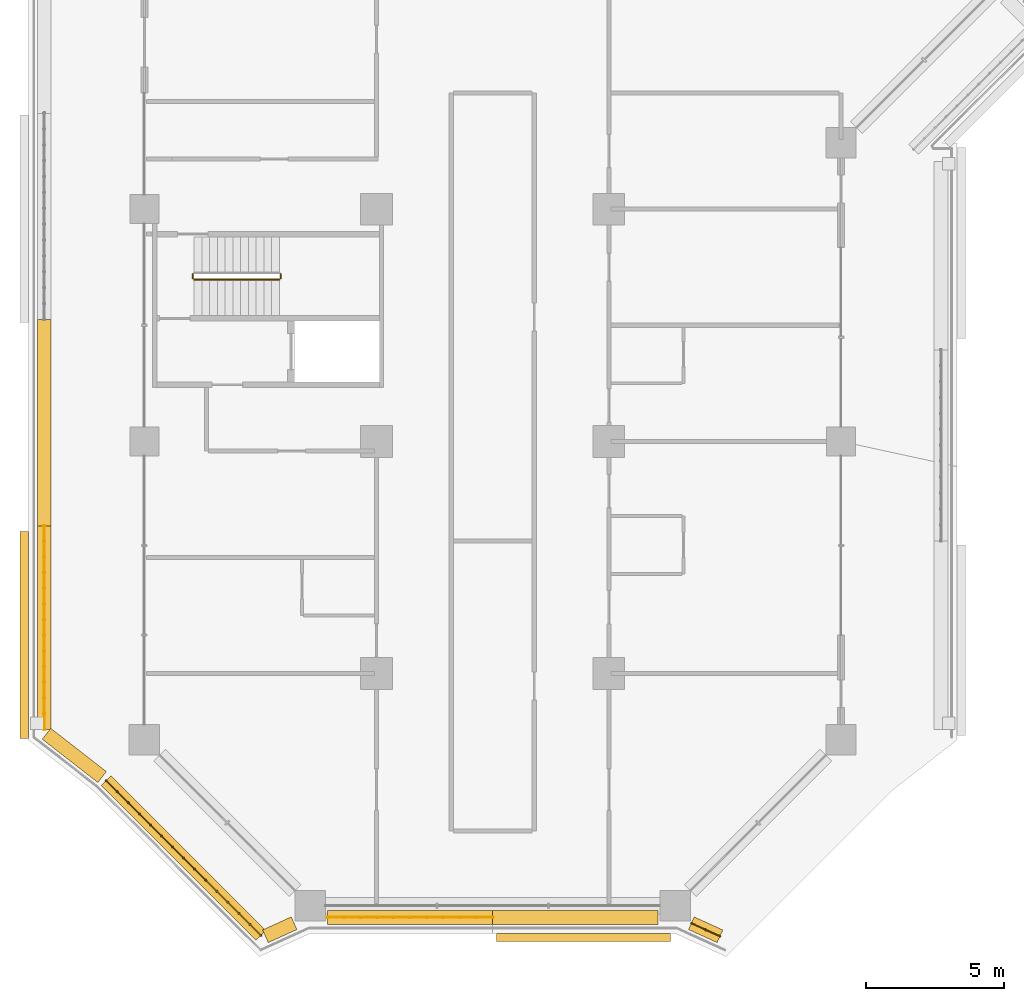
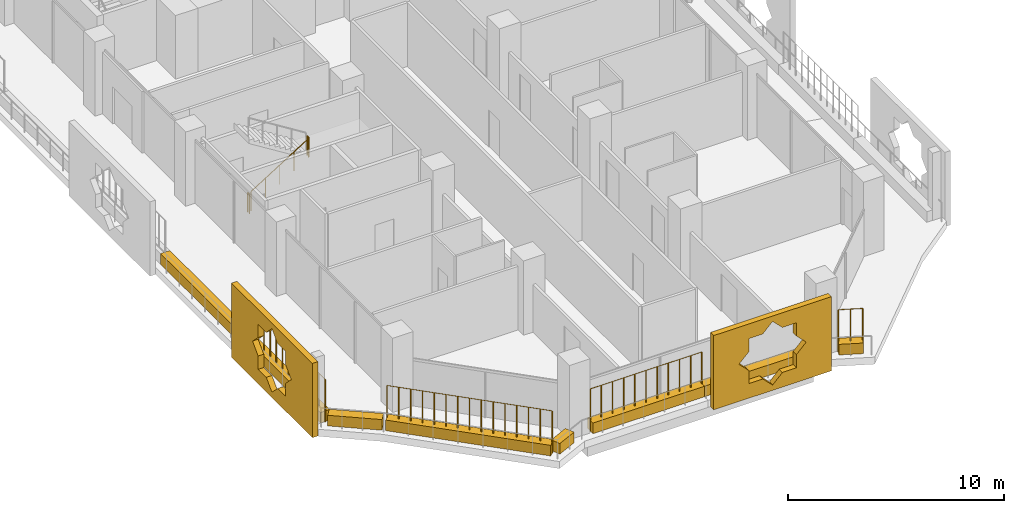
# One storey, part 19 of 26: 10 coverings, 7 railings.
"""IFC4 building model written with IfcOpenShell, lengths in metres."""

import ifcopenshell
import ifcopenshell.guid

model = None  # the IFC model being written
_history = None  # IfcOwnerHistory: only IFC2X3 demands one
_inside = {}  # id of a spatial element -> (the spatial element, [elements in it])
_under = {}  # id of a project, library or spatial element -> (it, [spatial elements below it])
_declared = {}  # id of a project -> (the project, [libraries it declares])
_typed = {}  # id of a type object -> (the type object, [elements of that type])
_made_of = {}  # id of a material, layer set ... -> (it, [elements and type objects made of it])


def new_model(schema):
    """Start an empty IFC model of exactly this schema.

    Asked for "IFC4X3", IfcOpenShell would pick the latest addendum, in which some entities
    have other attributes; the version numbers below select the first issue.
    IFC2X3 requires an IfcOwnerHistory on every rooted entity: one is made here for all.
    """
    global model, _history
    if schema == "IFC4X3":
        model = ifcopenshell.file(schema_version=(4, 3, 0, 0))
    else:
        model = ifcopenshell.file(schema=schema)
    _inside.clear()
    _under.clear()
    _declared.clear()
    _typed.clear()
    _made_of.clear()
    _history = None
    if model.schema == "IFC2X3":
        org = make("IfcOrganization", Name="unknown")
        user = make(
            "IfcPersonAndOrganization",
            ThePerson=make("IfcPerson", FamilyName="unknown"),
            TheOrganization=org,
        )
        app = make(
            "IfcApplication",
            ApplicationDeveloper=org,
            Version="unknown",
            ApplicationFullName="unknown",
            ApplicationIdentifier="unknown",
        )
        _history = make(
            "IfcOwnerHistory",
            OwningUser=user,
            OwningApplication=app,
            ChangeAction="ADDED",
            CreationDate=0,
        )
    return model


def make(cls, **values):
    """One entity of the class cls with the attributes given. An attribute that is None is left unset."""
    return model.create_entity(
        cls, **{name: value for name, value in values.items() if value is not None}
    )


def rooted(cls, **values):
    """An entity with a GlobalId (a new one), such as an element, a storey or a relation."""
    return make(cls, GlobalId=ifcopenshell.guid.new(), OwnerHistory=_history, **values)


def si_unit(unit_type, name, prefix=None):
    """IfcSIUnit, for example si_unit("LENGTHUNIT", "METRE", prefix="MILLI")."""
    return make("IfcSIUnit", UnitType=unit_type, Prefix=prefix, Name=name)


def assignment(units):
    """IfcUnitAssignment: the units of a project."""
    return None if units is None else make("IfcUnitAssignment", Units=units)


def point(xyz):
    """IfcCartesianPoint."""
    return None if xyz is None else make("IfcCartesianPoint", Coordinates=xyz)


def direction(xyz):
    """IfcDirection."""
    return None if xyz is None else make("IfcDirection", DirectionRatios=xyz)


def frame(location, z_axis=None, x_axis=None):
    """IfcAxis2Placement3D, a coordinate frame: its origin and axes. An axis left out is left unset."""
    return make(
        "IfcAxis2Placement3D",
        Location=point(location),
        Axis=direction(z_axis),
        RefDirection=direction(x_axis),
    )


def frame_2d(location, x_axis=None):
    """IfcAxis2Placement2D, a coordinate frame in the plane: its origin and x axis."""
    return make(
        "IfcAxis2Placement2D", Location=point(location), RefDirection=direction(x_axis)
    )


def origin():
    """The frame at (0, 0, 0) with its axes left unset."""
    return frame((0.0, 0.0, 0.0))


def origin_2d():
    """The frame at (0, 0) in the plane with its x axis left unset."""
    return frame_2d((0.0, 0.0))


def place(relative_to, where):
    """IfcLocalPlacement: puts the frame where relative to a parent placement (None: the world)."""
    return make(
        "IfcLocalPlacement", PlacementRelTo=relative_to, RelativePlacement=where
    )


def context(
    kind, dimensions, precision=None, world=None, true_north=None, identifier=None
):
    """IfcGeometricRepresentationContext, for example the 3D "Model" context."""
    return make(
        "IfcGeometricRepresentationContext",
        ContextIdentifier=identifier,
        ContextType=kind,
        CoordinateSpaceDimension=dimensions,
        Precision=precision,
        WorldCoordinateSystem=world,
        TrueNorth=true_north,
    )


def subcontext(parent, identifier, kind, view, scale=None):
    """IfcGeometricRepresentationSubContext, for example "Body" below "Model"."""
    return make(
        "IfcGeometricRepresentationSubContext",
        ContextIdentifier=identifier,
        ContextType=kind,
        ParentContext=parent,
        TargetScale=scale,
        TargetView=view,
    )


def project(units=None, contexts=None):
    """IfcProject with its units and contexts."""
    return rooted(
        "IfcProject",
        Name="project",
        RepresentationContexts=contexts,
        UnitsInContext=assignment(units),
    )


def spatial(cls, under=None, at=None, **own):
    """A site, building, storey or space (cls), placed at a placement, below another one or the project."""
    s = rooted(cls, ObjectPlacement=at, **own)
    if under is not None:
        _under.setdefault(under.id(), (under, []))[1].append(s)
    return s


def polyline(points):
    """IfcPolyline through the points."""
    return make("IfcPolyline", Points=[point(p) for p in points])


def profile(cls, at=None, kind="AREA", **sizes):
    """A parametric profile (cls). Its sizes go by their IFC names, for example OverallWidth=200.0."""
    return make(cls, ProfileType=kind, Position=at, **sizes)


def rectangle(**sizes):
    """IfcRectangleProfileDef."""
    return profile("IfcRectangleProfileDef", **sizes)


def circle(**sizes):
    """IfcCircleProfileDef."""
    return profile("IfcCircleProfileDef", **sizes)


def outline(outer, holes=None, kind="AREA"):
    """IfcArbitraryClosedProfileDef: a profile drawn as a closed curve; with holes, ...WithVoids."""
    if holes is None:
        return make("IfcArbitraryClosedProfileDef", ProfileType=kind, OuterCurve=outer)
    return make(
        "IfcArbitraryProfileDefWithVoids",
        ProfileType=kind,
        OuterCurve=outer,
        InnerCurves=holes,
    )


def extrude(swept, where, along, depth):
    """IfcExtrudedAreaSolid: the profile swept, set in the frame where, extruded along a direction by depth."""
    return make(
        "IfcExtrudedAreaSolid",
        SweptArea=swept,
        Position=where,
        ExtrudedDirection=direction(along),
        Depth=depth,
    )


def shape(context_of_items, identifier, shape_type, items):
    """IfcShapeRepresentation: the items that make up one representation, for example the "Body"."""
    return make(
        "IfcShapeRepresentation",
        ContextOfItems=context_of_items,
        RepresentationIdentifier=identifier,
        RepresentationType=shape_type,
        Items=items,
    )


def material(Name=None, Category=None):
    """IfcMaterial."""
    return make("IfcMaterial", Name=Name, Category=Category)


def material_profile(
    of_material, cross_section, Name=None, Category=None, Priority=None
):
    """IfcMaterialProfile: a cross section and its material."""
    return make(
        "IfcMaterialProfile",
        Name=Name,
        Material=of_material,
        Profile=cross_section,
        Priority=Priority,
        Category=Category,
    )


def profile_set(profiles, Name=None, composite=None):
    """IfcMaterialProfileSet."""
    return make(
        "IfcMaterialProfileSet",
        Name=Name,
        MaterialProfiles=profiles,
        CompositeProfile=composite,
    )


def made_of(thing, what):
    """Note that an element or type object is made of a material, layer set ...; save() writes the relation."""
    if what is not None:
        _made_of.setdefault(what.id(), (what, []))[1].append(thing)
    return thing


def type_object(cls, material=None, **own):
    """A type object (cls), such as IfcWallType, which elements share."""
    return made_of(rooted(cls, **own), material)


def element(
    cls,
    number,
    at=None,
    inside=None,
    cuts=None,
    type_object=None,
    material=None,
    context=None,
    identifier="Body",
    shape_type=None,
    held_by="IfcProductDefinitionShape",
    body=None,
    shapes=None,
    **own,
):
    """One element of the class cls, such as IfcWall. Its Tag is "e" and its number.

    at: its placement. inside: the storey or other place that contains it. cuts: it is an
    opening in that element (IfcRelVoidsElement). A single representation is given by context,
    identifier, shape_type and body (its items); several are given by shapes. held_by: the class
    of the entity that holds the representations. save() writes the other relations.
    """
    e = rooted(cls, Tag="e%d" % number, ObjectPlacement=at, **own)
    if body is not None:
        shapes = [shape(context, identifier, shape_type, body)]
    if shapes is not None:
        e.Representation = make(held_by, Representations=shapes)
    if inside is not None:
        _inside.setdefault(inside.id(), (inside, []))[1].append(e)
    if cuts is not None:
        rooted(
            "IfcRelVoidsElement", RelatingBuildingElement=cuts, RelatedOpeningElement=e
        )
    if type_object is not None:
        _typed.setdefault(type_object.id(), (type_object, []))[1].append(e)
    return made_of(e, material)


def aggregate(whole, parts):
    """IfcRelAggregates: a whole, such as a stair, and the parts it consists of."""
    return rooted("IfcRelAggregates", RelatingObject=whole, RelatedObjects=parts)


def save(model, path):
    """Write the relations noted so far, then the file.

    IfcRelAggregates (storeys below a building ...), IfcRelContainedInSpatialStructure (elements
    in a storey), IfcRelDefinesByType, IfcRelAssociatesMaterial and IfcRelDeclares: one each for
    every whole, place, type object, material and project.
    """
    for whole, parts in _under.values():
        aggregate(whole, parts)
    for where, things in _inside.values():
        rooted(
            "IfcRelContainedInSpatialStructure",
            RelatedElements=things,
            RelatingStructure=where,
        )
    for kind, things in _typed.values():
        rooted("IfcRelDefinesByType", RelatedObjects=things, RelatingType=kind)
    for what, things in _made_of.values():
        rooted("IfcRelAssociatesMaterial", RelatedObjects=things, RelatingMaterial=what)
    for by, libraries in _declared.values():
        rooted("IfcRelDeclares", RelatingContext=by, RelatedDefinitions=libraries)
    model.write(path)


model = new_model("IFC4")

# Units and contexts
model_context = context("Model", 3, precision=1e-05, world=origin(), true_north=direction((0.0, 1.0)))
body_context = subcontext(model_context, "Body", "Model", "MODEL_VIEW")
ifc_project = project(units=[si_unit("LENGTHUNIT", "METRE"), si_unit("AREAUNIT", "SQUARE_METRE"), si_unit("VOLUMEUNIT", "CUBIC_METRE"), si_unit("PLANEANGLEUNIT", "RADIAN"), si_unit("MASSUNIT", "GRAM", prefix="KILO")], contexts=[model_context])

# Site, building, storey
site_placement = place(None, origin())
site = spatial("IfcSite", under=ifc_project, at=site_placement, CompositionType="ELEMENT")
building_placement = place(site_placement, origin())
building = spatial("IfcBuilding", under=site, at=building_placement, Name="Kawkab Arch Medical Tower", CompositionType="ELEMENT")
storey_placement = place(building_placement, frame((0.0, 0.0, 119.800048828125)))
storey = spatial("IfcBuildingStorey", under=building, at=storey_placement, Name="L27", CompositionType="ELEMENT", Elevation=119.800048828125)

# Coverings
ifc_material_1 = material(Name="Bronze anodised aluminium mashrabiya panel, eight-point star pattern", Category="aluminium")
ifc_material_profile_1 = material_profile(ifc_material_1, outline(polyline([(-3.14990234375, -2.10009765625), (3.14990234375, -2.10009765625), (3.14990234375, 2.10009765625), (-3.14990234375, 2.10009765625), (-3.14990234375, -2.10009765625)]), holes=[polyline([(1.800048828125, 0.0), (1.272705078125, 0.527099609375), (1.272705078125, 1.272705078125), (0.527099609375, 1.272705078125), (0.0, 1.800048828125), (-0.527099609375, 1.272705078125), (-1.272705078125, 1.272705078125), (-1.272705078125, 0.527099609375), (-1.800048828125, 0.0), (-1.272705078125, -0.527099609375), (-1.272705078125, -1.272705078125), (-0.527099609375, -1.272705078125), (0.0, -1.800048828125), (0.527099609375, -1.272705078125), (1.272705078125, -1.272705078125), (1.272705078125, -0.527099609375), (1.800048828125, 0.0)])]), Name="Mashrabiya panel 6300x4200")
ifc_profile_set_1 = profile_set([ifc_material_profile_1], Name="Bronze anodised aluminium mashrabiya panel, eight-point star pattern")
covering_type_1 = type_object("IfcCoveringType", Name="Mashrabiya panel 6300 x 4200", PredefinedType="USERDEFINED", material=ifc_profile_set_1)
covering_1_placement = place(storey_placement, frame((15.881103515625, -59.800048828125, 1.699951171875), z_axis=(0.0, -1.0, 0.0), x_axis=(1.0, 0.0, 0.0)))
element("IfcCovering", 1, at=covering_1_placement, inside=storey, type_object=covering_type_1, Name="Mashrabiya panel L27.LOG-01-01.1", ObjectType="SCREEN", PredefinedType="USERDEFINED", context=body_context, shape_type="SweptSolid", body=[
    extrude(outline(polyline([(-3.14990234375, -2.10009765625), (3.14990234375, -2.10009765625), (3.14990234375, 2.10009765625), (-3.14990234375, 2.10009765625), (-3.14990234375, -2.10009765625)]), holes=[polyline([(1.800048828125, 0.0), (1.272705078125, 0.527099609375), (1.272705078125, 1.272705078125), (0.527099609375, 1.272705078125), (0.0, 1.800048828125), (-0.527099609375, 1.272705078125), (-1.272705078125, 1.272705078125), (-1.272705078125, 0.527099609375), (-1.800048828125, 0.0), (-1.272705078125, -0.527099609375), (-1.272705078125, -1.272705078125), (-0.527099609375, -1.272705078125), (0.0, -1.800048828125), (0.527099609375, -1.272705078125), (1.272705078125, -1.272705078125), (1.272705078125, -0.527099609375), (1.800048828125, 0.0)])]), origin(), (0.0, 0.0, 1.0), 0.300048828125),
])
ifc_material_2 = material(Name="Bronze anodised aluminium mashrabiya panel, eight-point star pattern", Category="aluminium")
ifc_material_profile_2 = material_profile(ifc_material_2, outline(polyline([(-3.75, -2.10009765625), (3.75, -2.10009765625), (3.75, 2.10009765625), (-3.75, 2.10009765625), (-3.75, -2.10009765625)]), holes=[polyline([(1.800048828125, 0.0), (1.272705078125, 0.527099609375), (1.272705078125, 1.272705078125), (0.527099609375, 1.272705078125), (0.0, 1.800048828125), (-0.527099609375, 1.272705078125), (-1.272705078125, 1.272705078125), (-1.272705078125, 0.527099609375), (-1.800048828125, 0.0), (-1.272705078125, -0.527099609375), (-1.272705078125, -1.272705078125), (-0.527099609375, -1.272705078125), (0.0, -1.800048828125), (0.527099609375, -1.272705078125), (1.272705078125, -1.272705078125), (1.272705078125, -0.527099609375), (1.800048828125, 0.0)])]), Name="Mashrabiya panel 7500x4200")
ifc_profile_set_2 = profile_set([ifc_material_profile_2], Name="Bronze anodised aluminium mashrabiya panel, eight-point star pattern")
covering_type_2 = type_object("IfcCoveringType", Name="Mashrabiya panel 7500 x 4200", PredefinedType="USERDEFINED", material=ifc_profile_set_2)
covering_2_placement = place(storey_placement, frame((-4.199951171875, -49.00439453125, 1.699951171875), z_axis=(-1.0, 0.0, 0.0), x_axis=(0.0, -1.0, 0.0)))
element("IfcCovering", 2, at=covering_2_placement, inside=storey, type_object=covering_type_2, Name="Mashrabiya panel L27.LOG-01-01.2", ObjectType="SCREEN", PredefinedType="USERDEFINED", context=body_context, shape_type="SweptSolid", body=[
    extrude(outline(polyline([(-3.75, -2.10009765625), (3.75, -2.10009765625), (3.75, 2.10009765625), (-3.75, 2.10009765625), (-3.75, -2.10009765625)]), holes=[polyline([(1.800048828125, 0.0), (1.272705078125, 0.527099609375), (1.272705078125, 1.272705078125), (0.527099609375, 1.272705078125), (0.0, 1.800048828125), (-0.527099609375, 1.272705078125), (-1.272705078125, 1.272705078125), (-1.272705078125, 0.527099609375), (-1.800048828125, 0.0), (-1.272705078125, -0.527099609375), (-1.272705078125, -1.272705078125), (-0.527099609375, -1.272705078125), (0.0, -1.800048828125), (0.527099609375, -1.272705078125), (1.272705078125, -1.272705078125), (1.272705078125, -0.527099609375), (1.800048828125, 0.0)])]), origin(), (0.0, 0.0, 1.0), 0.300048828125),
])
ifc_material_3 = material(Name="Planting soil in a precast trough", Category="concrete")
ifc_material_profile_3 = material_profile(ifc_material_3, rectangle(XDim=0.5, YDim=0.60009765625, at=origin_2d()), Name="Trough 500x600")
ifc_profile_set_3 = profile_set([ifc_material_profile_3], Name="Planting soil in a precast trough")
covering_type_3 = type_object("IfcCoveringType", Name="Planter trough 500 x 600", PredefinedType="USERDEFINED", material=ifc_profile_set_3)
covering_3_placement = place(storey_placement, frame((20.821044921875, -59.902099609375, 0.300048828125), z_axis=(-0.909821891123, 0.414998947508, 0.0), x_axis=(-0.414998947508, -0.909821891123, 0.0)))
element("IfcCovering", 3, at=covering_3_placement, inside=storey, type_object=covering_type_3, Name="Planter L27.LOG-01-01.1", ObjectType="PLANTER", PredefinedType="USERDEFINED", context=body_context, shape_type="SweptSolid", body=[
    extrude(rectangle(XDim=0.5, YDim=0.60009765625, at=origin_2d()), origin(), (0.0, 0.0, 1.0), 1.1376953125),
])
covering_4_placement = place(storey_placement, frame((18.570068359375, -59.219970703125, 0.300048828125), z_axis=(-1.0, 0.0, 0.0), x_axis=(0.0, -1.0, 0.0)))
element("IfcCovering", 4, at=covering_4_placement, inside=storey, type_object=covering_type_3, Name="Planter L27.LOG-01-01.2", ObjectType="PLANTER", PredefinedType="USERDEFINED", context=body_context, shape_type="SweptSolid", body=[
    extrude(rectangle(XDim=0.5, YDim=0.60009765625, at=origin_2d()), origin(), (0.0, 0.0, 1.0), 5.969970703125),
])
covering_5_placement = place(storey_placement, frame((12.60009765625, -59.219970703125, 0.300048828125), z_axis=(-1.0, 0.0, 0.0), x_axis=(0.0, -1.0, 0.0)))
element("IfcCovering", 5, at=covering_5_placement, inside=storey, type_object=covering_type_3, Name="Planter L27.LOG-01-01.3", ObjectType="PLANTER", PredefinedType="USERDEFINED", context=body_context, shape_type="SweptSolid", body=[
    extrude(rectangle(XDim=0.5, YDim=0.60009765625, at=origin_2d()), origin(), (0.0, 0.0, 1.0), 5.97021484375),
])
covering_6_placement = place(storey_placement, frame((5.4140625, -59.429931640625, 0.300048828125), z_axis=(-0.909821891123, -0.414998947508, 0.0), x_axis=(0.414998947508, -0.909821891123, 0.0)))
element("IfcCovering", 6, at=covering_6_placement, inside=storey, type_object=covering_type_3, Name="Planter L27.LOG-01-01.4", ObjectType="PLANTER", PredefinedType="USERDEFINED", context=body_context, shape_type="SweptSolid", body=[
    extrude(rectangle(XDim=0.5, YDim=0.60009765625, at=origin_2d()), origin(), (0.0, 0.0, 1.0), 1.1376953125),
])
covering_7_placement = place(storey_placement, frame((4.217041015625, -59.873046875, 0.300048828125), z_axis=(-0.707106781187, 0.707106781187, 0.0), x_axis=(-0.707106781187, -0.707106781187, 0.0)))
element("IfcCovering", 7, at=covering_7_placement, inside=storey, type_object=covering_type_3, Name="Planter L27.LOG-01-01.5", ObjectType="PLANTER", PredefinedType="USERDEFINED", context=body_context, shape_type="SweptSolid", body=[
    extrude(rectangle(XDim=0.5, YDim=0.60009765625, at=origin_2d()), origin(), (0.0, 0.0, 1.0), 7.919677734375),
])
covering_8_placement = place(storey_placement, frame((-1.531982421875, -54.14111328125, 0.300048828125), z_axis=(-0.789228258436, 0.614099956103, 0.0), x_axis=(-0.614099956103, -0.789228258436, 0.0)))
element("IfcCovering", 8, at=covering_8_placement, inside=storey, type_object=covering_type_3, Name="Planter L27.LOG-01-01.6", ObjectType="PLANTER", PredefinedType="USERDEFINED", context=body_context, shape_type="SweptSolid", body=[
    extrude(rectangle(XDim=0.5, YDim=0.60009765625, at=origin_2d()), origin(), (0.0, 0.0, 1.0), 2.545654296875),
])
covering_9_placement = place(storey_placement, frame((-3.6201171875, -52.416015625, 0.300048828125), z_axis=(0.0, 1.0, 0.0), x_axis=(-1.0, 0.0, 0.0)))
element("IfcCovering", 9, at=covering_9_placement, inside=storey, type_object=covering_type_3, Name="Planter L27.LOG-01-01.7", ObjectType="PLANTER", PredefinedType="USERDEFINED", context=body_context, shape_type="SweptSolid", body=[
    extrude(rectangle(XDim=0.5, YDim=0.60009765625, at=origin_2d()), origin(), (0.0, 0.0, 1.0), 7.361083984375),
])
covering_10_placement = place(storey_placement, frame((-3.6201171875, -45.054931640625, 0.300048828125), z_axis=(0.0, 1.0, 0.0), x_axis=(-1.0, 0.0, 0.0)))
element("IfcCovering", 10, at=covering_10_placement, inside=storey, type_object=covering_type_3, Name="Planter L27.LOG-01-01.8", ObjectType="PLANTER", PredefinedType="USERDEFINED", context=body_context, shape_type="SweptSolid", body=[
    extrude(rectangle(XDim=0.5, YDim=0.60009765625, at=origin_2d()), origin(), (0.0, 0.0, 1.0), 7.4619140625),
])

# Railings
ifc_material_4 = material(Name="Bronze anodised aluminium trellis for climbing plants", Category="aluminium")
railing_type_1 = type_object("IfcRailingType", Name="Planting trellis 2400", PredefinedType="USERDEFINED", material=ifc_material_4)
railing_1_placement = place(storey_placement, frame((20.821044921875, -59.902099609375, 0.0)))
element("IfcRailing", 11, at=railing_1_placement, inside=storey, type_object=railing_type_1, Name="Planting trellis L27.LOG-01-01.1", ObjectType="TRELLIS", PredefinedType="USERDEFINED", context=body_context, shape_type="SweptSolid", body=[
    extrude(circle(Radius=0.01513671875, at=origin_2d()), frame((0.0, 0.0, 2.384765625), z_axis=(-0.909821891123, 0.414998947508, 0.0), x_axis=(-0.414998947508, -0.909821891123, 0.0)), (0.0, 0.0, 1.0), 1.1376953125),
    extrude(circle(Radius=0.030029296875, at=origin_2d()), origin(), (0.0, 0.0, 1.0), 2.369873046875),
    extrude(circle(Radius=0.030029296875, at=origin_2d()), frame((-0.517578125, 0.236083984375, 0.0)), (0.0, 0.0, 1.0), 2.369873046875),
    extrude(circle(Radius=0.030029296875, at=origin_2d()), frame((-1.03515625, 0.47216796875, 0.0)), (0.0, 0.0, 1.0), 2.369873046875),
])
railing_2_placement = place(storey_placement, frame((12.60009765625, -59.219970703125, 0.0)))
element("IfcRailing", 12, at=railing_2_placement, inside=storey, type_object=railing_type_1, Name="Planting trellis L27.LOG-01-01.3", ObjectType="TRELLIS", PredefinedType="USERDEFINED", context=body_context, shape_type="SweptSolid", body=[
    extrude(circle(Radius=0.01513671875, at=origin_2d()), frame((0.0, 0.0, 2.384765625), z_axis=(-1.0, 0.0, 0.0), x_axis=(0.0, -1.0, 0.0)), (0.0, 0.0, 1.0), 5.97021484375),
    extrude(circle(Radius=0.030029296875, at=origin_2d()), origin(), (0.0, 0.0, 1.0), 2.369873046875),
    extrude(circle(Radius=0.030029296875, at=origin_2d()), frame((-0.596923828125, 0.0, 0.0)), (0.0, 0.0, 1.0), 2.369873046875),
    extrude(circle(Radius=0.030029296875, at=origin_2d()), frame((-1.194091796875, 0.0, 0.0)), (0.0, 0.0, 1.0), 2.369873046875),
    extrude(circle(Radius=0.030029296875, at=origin_2d()), frame((-1.791015625, 0.0, 0.0)), (0.0, 0.0, 1.0), 2.369873046875),
    extrude(circle(Radius=0.030029296875, at=origin_2d()), frame((-2.38818359375, 0.0, 0.0)), (0.0, 0.0, 1.0), 2.369873046875),
    extrude(circle(Radius=0.030029296875, at=origin_2d()), frame((-2.985107421875, 0.0, 0.0)), (0.0, 0.0, 1.0), 2.369873046875),
    extrude(circle(Radius=0.030029296875, at=origin_2d()), frame((-3.58203125, 0.0, 0.0)), (0.0, 0.0, 1.0), 2.369873046875),
    extrude(circle(Radius=0.030029296875, at=origin_2d()), frame((-4.17919921875, 0.0, 0.0)), (0.0, 0.0, 1.0), 2.369873046875),
    extrude(circle(Radius=0.030029296875, at=origin_2d()), frame((-4.776123046875, 0.0, 0.0)), (0.0, 0.0, 1.0), 2.369873046875),
    extrude(circle(Radius=0.030029296875, at=origin_2d()), frame((-5.373291015625, 0.0, 0.0)), (0.0, 0.0, 1.0), 2.369873046875),
    extrude(circle(Radius=0.030029296875, at=origin_2d()), frame((-5.97021484375, 0.0, 0.0)), (0.0, 0.0, 1.0), 2.369873046875),
])
railing_3_placement = place(storey_placement, frame((4.217041015625, -59.873046875, 0.0)))
element("IfcRailing", 13, at=railing_3_placement, inside=storey, type_object=railing_type_1, Name="Planting trellis L27.LOG-01-01.5", ObjectType="TRELLIS", PredefinedType="USERDEFINED", context=body_context, shape_type="SweptSolid", body=[
    extrude(circle(Radius=0.01513671875, at=origin_2d()), frame((0.0, 0.0, 2.384765625), z_axis=(-0.707106781187, 0.707106781187, 0.0), x_axis=(-0.707106781187, -0.707106781187, 0.0)), (0.0, 0.0, 1.0), 7.919677734375),
    extrude(circle(Radius=0.030029296875, at=origin_2d()), origin(), (0.0, 0.0, 1.0), 2.369873046875),
    extrude(circle(Radius=0.030029296875, at=origin_2d()), frame((-0.39990234375, 0.39990234375, 0.0)), (0.0, 0.0, 1.0), 2.369873046875),
    extrude(circle(Radius=0.030029296875, at=origin_2d()), frame((-0.800048828125, 0.800048828125, 0.0)), (0.0, 0.0, 1.0), 2.369873046875),
    extrude(circle(Radius=0.030029296875, at=origin_2d()), frame((-1.199951171875, 1.199951171875, 0.0)), (0.0, 0.0, 1.0), 2.369873046875),
    extrude(circle(Radius=0.030029296875, at=origin_2d()), frame((-1.60009765625, 1.60009765625, 0.0)), (0.0, 0.0, 1.0), 2.369873046875),
    extrude(circle(Radius=0.030029296875, at=origin_2d()), frame((-2.0, 2.0, 0.0)), (0.0, 0.0, 1.0), 2.369873046875),
    extrude(circle(Radius=0.030029296875, at=origin_2d()), frame((-2.400146484375, 2.400146484375, 0.0)), (0.0, 0.0, 1.0), 2.369873046875),
    extrude(circle(Radius=0.030029296875, at=origin_2d()), frame((-2.800048828125, 2.800048828125, 0.0)), (0.0, 0.0, 1.0), 2.369873046875),
    extrude(circle(Radius=0.030029296875, at=origin_2d()), frame((-3.199951171875, 3.199951171875, 0.0)), (0.0, 0.0, 1.0), 2.369873046875),
    extrude(circle(Radius=0.030029296875, at=origin_2d()), frame((-3.60009765625, 3.60009765625, 0.0)), (0.0, 0.0, 1.0), 2.369873046875),
    extrude(circle(Radius=0.030029296875, at=origin_2d()), frame((-4.0, 4.0, 0.0)), (0.0, 0.0, 1.0), 2.369873046875),
    extrude(circle(Radius=0.030029296875, at=origin_2d()), frame((-4.400146484375, 4.400146484375, 0.0)), (0.0, 0.0, 1.0), 2.369873046875),
    extrude(circle(Radius=0.030029296875, at=origin_2d()), frame((-4.800048828125, 4.800048828125, 0.0)), (0.0, 0.0, 1.0), 2.369873046875),
    extrude(circle(Radius=0.030029296875, at=origin_2d()), frame((-5.2001953125, 5.2001953125, 0.0)), (0.0, 0.0, 1.0), 2.369873046875),
    extrude(circle(Radius=0.030029296875, at=origin_2d()), frame((-5.60009765625, 5.60009765625, 0.0)), (0.0, 0.0, 1.0), 2.369873046875),
])
railing_4_placement = place(storey_placement, frame((-3.6201171875, -52.416015625, 0.0)))
element("IfcRailing", 14, at=railing_4_placement, inside=storey, type_object=railing_type_1, Name="Planting trellis L27.LOG-01-01.7", ObjectType="TRELLIS", PredefinedType="USERDEFINED", context=body_context, shape_type="SweptSolid", body=[
    extrude(circle(Radius=0.01513671875, at=origin_2d()), frame((0.0, 0.0, 2.384765625), z_axis=(0.0, 1.0, 0.0), x_axis=(-1.0, 0.0, 0.0)), (0.0, 0.0, 1.0), 7.361083984375),
    extrude(circle(Radius=0.030029296875, at=origin_2d()), origin(), (0.0, 0.0, 1.0), 2.369873046875),
    extrude(circle(Radius=0.030029296875, at=origin_2d()), frame((0.0, 0.566162109375, 0.0)), (0.0, 0.0, 1.0), 2.369873046875),
    extrude(circle(Radius=0.030029296875, at=origin_2d()), frame((0.0, 1.132568359375, 0.0)), (0.0, 0.0, 1.0), 2.369873046875),
    extrude(circle(Radius=0.030029296875, at=origin_2d()), frame((0.0, 1.69873046875, 0.0)), (0.0, 0.0, 1.0), 2.369873046875),
    extrude(circle(Radius=0.030029296875, at=origin_2d()), frame((0.0, 2.264892578125, 0.0)), (0.0, 0.0, 1.0), 2.369873046875),
    extrude(circle(Radius=0.030029296875, at=origin_2d()), frame((0.0, 2.831298828125, 0.0)), (0.0, 0.0, 1.0), 2.369873046875),
    extrude(circle(Radius=0.030029296875, at=origin_2d()), frame((0.0, 3.3974609375, 0.0)), (0.0, 0.0, 1.0), 2.369873046875),
    extrude(circle(Radius=0.030029296875, at=origin_2d()), frame((0.0, 3.963623046875, 0.0)), (0.0, 0.0, 1.0), 2.369873046875),
    extrude(circle(Radius=0.030029296875, at=origin_2d()), frame((0.0, 4.52978515625, 0.0)), (0.0, 0.0, 1.0), 2.369873046875),
    extrude(circle(Radius=0.030029296875, at=origin_2d()), frame((0.0, 5.09619140625, 0.0)), (0.0, 0.0, 1.0), 2.369873046875),
    extrude(circle(Radius=0.030029296875, at=origin_2d()), frame((0.0, 5.662353515625, 0.0)), (0.0, 0.0, 1.0), 2.369873046875),
    extrude(circle(Radius=0.030029296875, at=origin_2d()), frame((0.0, 6.228515625, 0.0)), (0.0, 0.0, 1.0), 2.369873046875),
    extrude(circle(Radius=0.030029296875, at=origin_2d()), frame((0.0, 6.794921875, 0.0)), (0.0, 0.0, 1.0), 2.369873046875),
    extrude(circle(Radius=0.030029296875, at=origin_2d()), frame((0.0, 7.361083984375, 0.0)), (0.0, 0.0, 1.0), 2.369873046875),
])
ifc_material_5 = material(Name="Stainless steel", Category="steel")
railing_type_2 = type_object("IfcRailingType", Name="Stair guard 1100", PredefinedType="GUARDRAIL", material=ifc_material_5)
railing_5_placement = place(storey_placement, frame((1.800048828125, -36.14990234375, 0.175048828125)))
element("IfcRailing", 15, at=railing_5_placement, inside=storey, type_object=railing_type_2, Name="L27 ST6 stair guard 1", PredefinedType="GUARDRAIL", context=body_context, shape_type="SweptSolid", body=[
    extrude(circle(Radius=0.02392578125, at=origin_2d()), frame((0.0, 0.0, 1.076171875), z_axis=(0.848009633417, 0.0, 0.529980812513), x_axis=(0.0, 1.0, 0.0)), (0.0, 0.0, 1.0), 3.6318359375),
    extrude(circle(Radius=0.02099609375, at=origin_2d()), origin(), (0.0, 0.0, 1.0), 1.052001953125),
    extrude(circle(Radius=0.02099609375, at=origin_2d()), frame((0.77001953125, 0.0, 0.481201171875)), (0.0, 0.0, 1.0), 1.052001953125),
    extrude(circle(Radius=0.02099609375, at=origin_2d()), frame((1.5400390625, 0.0, 0.96240234375)), (0.0, 0.0, 1.0), 1.052001953125),
    extrude(circle(Radius=0.02099609375, at=origin_2d()), frame((2.309814453125, 0.0, 1.443603515625)), (0.0, 0.0, 1.0), 1.052001953125),
    extrude(circle(Radius=0.02099609375, at=origin_2d()), frame((3.079833984375, 0.0, 1.9248046875)), (0.0, 0.0, 1.0), 1.052001953125),
])
for number, where, name in (
    (16, (4.929931640625, -36.10009765625, 2.099853515625), "L27 ST6 stair guard 2"),
    (17, (1.75, -36.10009765625, 0.0), "L27 ST6 stair guard 4"),
):
    element("IfcRailing", number, at=place(storey_placement, frame(where)), inside=storey, type_object=railing_type_2, Name=name, PredefinedType="GUARDRAIL", context=body_context, shape_type="SweptSolid", body=[
        extrude(circle(Radius=0.02392578125, at=origin_2d()), frame((0.0, 0.0, 1.076171875), z_axis=(0.0, 1.0, 0.0), x_axis=(-1.0, 0.0, 0.0)), (0.0, 0.0, 1.0), 0.150146484375),
        extrude(circle(Radius=0.02099609375, at=origin_2d()), origin(), (0.0, 0.0, 1.0), 1.052001953125),
        extrude(circle(Radius=0.02099609375, at=origin_2d()), frame((0.0, 0.150146484375, 0.0)), (0.0, 0.0, 1.0), 1.052001953125),
    ])

save(model, "model.ifc")
